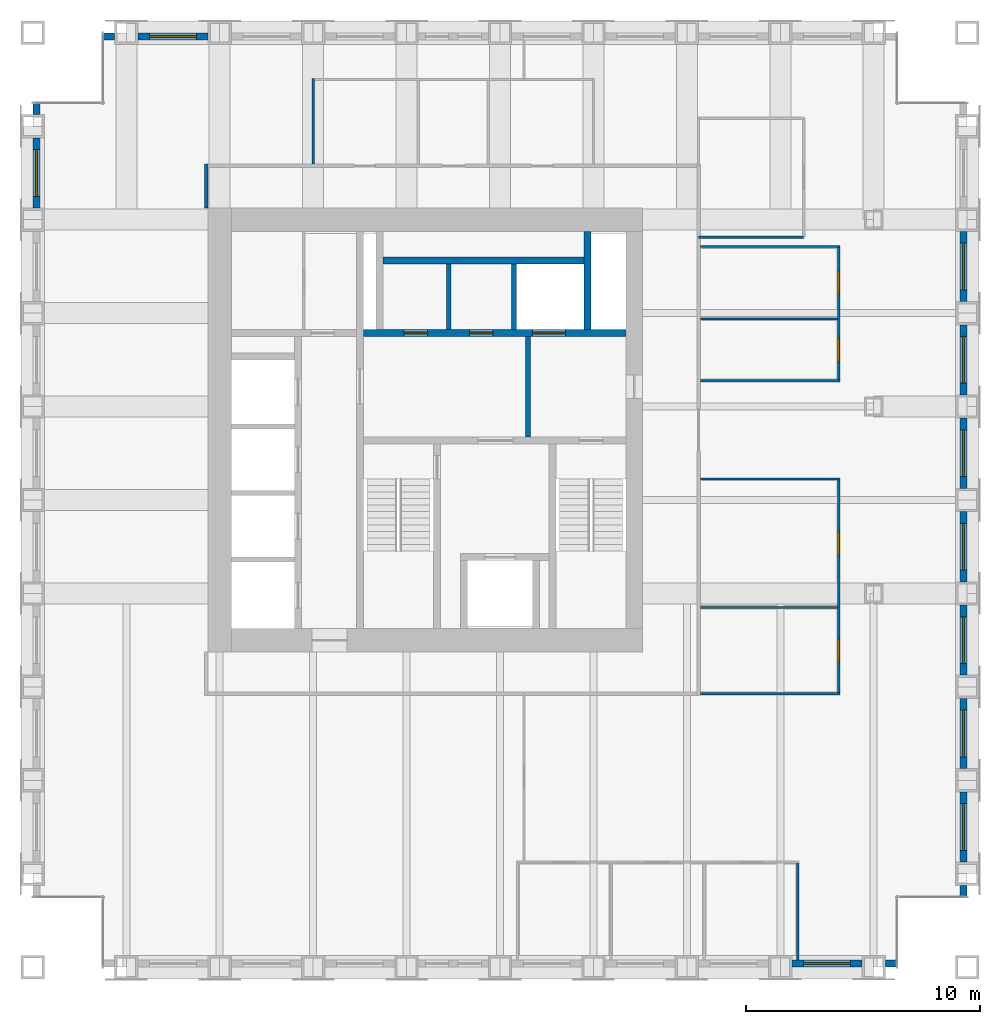
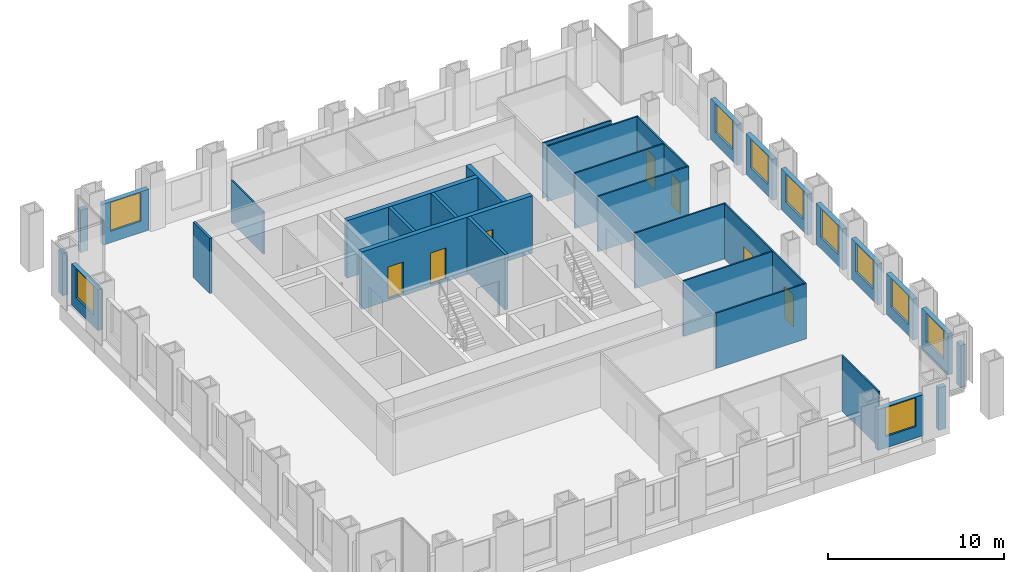
# One storey, part 9 of 11: 32 walls, 10 windows, 7 doors, 17 openings.
"""IFC4 building model written with IfcOpenShell, lengths in metres."""

from ifc_helpers import new_model, si_unit, direction, frame, frame_2d, origin, place, context, subcontext, project, spatial, rectangle, extrude, material, layer, layer_set, type_object, element, fill, save


model = new_model("IFC4")

# Units and contexts
model_context = context("Model", 3, precision=1e-05, world=origin(), true_north=direction((0.0, 1.0)))
body_context = subcontext(model_context, "Body", "Model", "MODEL_VIEW")
ifc_project = project(units=[si_unit("LENGTHUNIT", "METRE"), si_unit("AREAUNIT", "SQUARE_METRE"), si_unit("VOLUMEUNIT", "CUBIC_METRE"), si_unit("PLANEANGLEUNIT", "RADIAN"), si_unit("MASSUNIT", "GRAM", prefix="KILO")], contexts=[model_context])

# Site, building, storey
site_placement = place(None, origin())
site = spatial("IfcSite", under=ifc_project, at=site_placement, CompositionType="ELEMENT")
building_placement = place(site_placement, origin())
building = spatial("IfcBuilding", under=site, at=building_placement, Name="Rimbunsela Tower", CompositionType="ELEMENT")
storey_placement = place(building_placement, frame((0.0, 0.0, 246.199951171875)))
storey = spatial("IfcBuildingStorey", under=building, at=storey_placement, Name="L59", CompositionType="ELEMENT", Elevation=246.199951171875)

# Wall, openings, doors
ifc_material_1 = material(Name="Concrete fc' 80 MPa", Category="concrete")
ifc_layer_1 = layer(ifc_material_1, 0.300048828125)
ifc_layer_set_1 = layer_set([ifc_layer_1], Name="Core internal wall 300")
wall_type_1 = type_object("IfcWallType", Name="Core internal wall 300", PredefinedType="SHEAR", material=ifc_layer_set_1)
wall_1_placement = place(storey_placement, frame((24.14990234375, 31.14990234375, -0.14990234375), z_axis=(0.0, 0.0, 1.0), x_axis=(1.0, 0.0, 0.0)))
wall_1 = element("IfcWall", 1, at=wall_1_placement, inside=storey, type_object=wall_type_1, Name="Lift shaft front north", PredefinedType="SHEAR", context=body_context, shape_type="SweptSolid", body=[
    extrude(rectangle(XDim=11.25, YDim=0.300048828125, at=frame_2d((5.625, 0.0))), origin(), (0.0, 0.0, 1.0), 4.0),
])
opening_1_placement = place(wall_1_placement, frame((1.75, 0.0, 0.14990234375)))
opening_1 = element("IfcOpeningElement", 2, at=opening_1_placement, cuts=wall_1, Name="Opening D19", PredefinedType="OPENING", context=body_context, shape_type="SweptSolid", body=[
    extrude(rectangle(XDim=1.0, YDim=2.199951171875, at=frame_2d((0.5, 1.10009765625))), frame((0.0, 0.159912109375, 0.0), z_axis=(0.0, -1.0, 0.0), x_axis=(1.0, 0.0, 0.0)), (0.0, 0.0, 1.0), 0.320068359375),
])
opening_2_placement = place(wall_1_placement, frame((4.550048828125, 0.0, 0.14990234375)))
opening_2 = element("IfcOpeningElement", 3, at=opening_2_placement, cuts=wall_1, Name="Opening D19", PredefinedType="OPENING", context=body_context, shape_type="SweptSolid", body=[
    extrude(rectangle(XDim=1.0, YDim=2.199951171875, at=frame_2d((0.5, 1.10009765625))), frame((0.0, 0.159912109375, 0.0), z_axis=(0.0, -1.0, 0.0), x_axis=(1.0, 0.0, 0.0)), (0.0, 0.0, 1.0), 0.320068359375),
])
opening_3_placement = place(wall_1_placement, frame((7.25, 0.0, 0.14990234375)))
opening_3 = element("IfcOpeningElement", 4, at=opening_3_placement, cuts=wall_1, Name="Opening LD3", PredefinedType="OPENING", context=body_context, shape_type="SweptSolid", body=[
    extrude(rectangle(XDim=1.39990234375, YDim=2.39990234375, at=frame_2d((0.699951171875, 1.199951171875))), frame((0.0, 0.159912109375, 0.0), z_axis=(0.0, -1.0, 0.0), x_axis=(1.0, 0.0, 0.0)), (0.0, 0.0, 1.0), 0.320068359375),
])
ifc_material_2 = material(Name="Steel door, fire rated", Category="steel")
door_type_1 = type_object("IfcDoorType", Name="Lift landing door 1400", OperationType="DOUBLE_DOOR_SLIDING", PredefinedType="DOOR", material=ifc_material_2)
door_1_placement = place(opening_3_placement, origin())
door_1 = element("IfcDoor", 5, at=door_1_placement, inside=storey, type_object=door_type_1, Name="Lift landing door FL2", OperationType="DOUBLE_DOOR_SLIDING", OverallHeight=2.39990234375, OverallWidth=1.39990234375, PredefinedType="DOOR", context=body_context, shape_type="SweptSolid", body=[
    extrude(rectangle(XDim=1.39990234375, YDim=2.39990234375, at=frame_2d((0.699951171875, 1.199951171875))), frame((0.0, 0.02490234375, 0.0), z_axis=(0.0, -1.0, 0.0), x_axis=(1.0, 0.0, 0.0)), (0.0, 0.0, 1.0), 0.050048828125),
])
fill(opening_3, door_1)
ifc_material_3 = material(Name="Steel door, fire rated", Category="steel")
door_type_2 = type_object("IfcDoorType", Name="Service door 1000 fire rated", OperationType="SINGLE_SWING_LEFT", PredefinedType="DOOR", material=ifc_material_3)
door_2_placement = place(opening_1_placement, origin())
door_2 = element("IfcDoor", 6, at=door_2_placement, inside=storey, type_object=door_type_2, Name="Staff WC door", OperationType="SINGLE_SWING_LEFT", OverallHeight=2.199951171875, OverallWidth=1.0, PredefinedType="DOOR", context=body_context, shape_type="SweptSolid", body=[
    extrude(rectangle(XDim=1.0, YDim=2.199951171875, at=frame_2d((0.5, 1.10009765625))), frame((0.0, 0.02490234375, 0.0), z_axis=(0.0, -1.0, 0.0), x_axis=(1.0, 0.0, 0.0)), (0.0, 0.0, 1.0), 0.050048828125),
])
fill(opening_1, door_2)
door_3_placement = place(opening_2_placement, origin())
door_3 = element("IfcDoor", 7, at=door_3_placement, inside=storey, type_object=door_type_2, Name="Cleaners store door", OperationType="SINGLE_SWING_LEFT", OverallHeight=2.199951171875, OverallWidth=1.0, PredefinedType="DOOR", context=body_context, shape_type="SweptSolid", body=[
    extrude(rectangle(XDim=1.0, YDim=2.199951171875, at=frame_2d((0.5, 1.10009765625))), frame((0.0, 0.02490234375, 0.0), z_axis=(0.0, -1.0, 0.0), x_axis=(1.0, 0.0, 0.0)), (0.0, 0.0, 1.0), 0.050048828125),
])
fill(opening_2, door_3)

# Walls
wall_2_placement = place(storey_placement, frame((33.75, 31.300048828125, -0.14990234375), z_axis=(0.0, 0.0, 1.0), x_axis=(0.0, 1.0, 0.0)))
element("IfcWall", 8, at=wall_2_placement, inside=storey, type_object=wall_type_1, Name="Riser wall", PredefinedType="SHEAR", context=body_context, shape_type="SweptSolid", body=[
    extrude(rectangle(XDim=4.199951171875, YDim=0.300048828125, at=frame_2d((2.10009765625, 0.0))), origin(), (0.0, 0.0, 1.0), 4.0),
])
wall_3_placement = place(storey_placement, frame((25.0, 34.25, -0.14990234375), z_axis=(0.0, 0.0, 1.0), x_axis=(1.0, 0.0, 0.0)))
element("IfcWall", 9, at=wall_3_placement, inside=storey, type_object=wall_type_1, Name="Lift shaft rear north", PredefinedType="SHEAR", context=body_context, shape_type="SweptSolid", body=[
    extrude(rectangle(XDim=8.60009765625, YDim=0.300048828125, at=frame_2d((4.300048828125, 0.0))), origin(), (0.0, 0.0, 1.0), 4.0),
])
ifc_material_4 = material(Name="Concrete blockwork", Category="masonry")
ifc_layer_2 = layer(ifc_material_4, 0.199951171875)
ifc_layer_set_2 = layer_set([ifc_layer_2], Name="Lift shaft wall 200")
wall_type_2 = type_object("IfcWallType", Name="Lift shaft wall 200", PredefinedType="SOLIDWALL", material=ifc_layer_set_2)
for number, where, z_axis, x_axis, name in (
    (10, (27.800048828125, 31.300048828125, -0.14990234375), (0.0, 0.0, 1.0), (0.0, 1.0, 0.0), "Lift shaft separation"),
    (11, (30.60009765625, 31.300048828125, -0.14990234375), (0.0, 0.0, 1.0), (0.0, 1.0, 0.0), "Lift shaft separation"),
):
    element("IfcWall", number, at=place(storey_placement, frame(where, z_axis=z_axis, x_axis=x_axis)), inside=storey, type_object=wall_type_2, Name=name, PredefinedType="SOLIDWALL", context=body_context, shape_type="SweptSolid", body=[
        extrude(rectangle(XDim=2.800048828125, YDim=0.199951171875, at=frame_2d((1.39990234375, 0.0))), origin(), (0.0, 0.0, 1.0), 4.0),
    ])
wall_4_placement = place(storey_placement, frame((31.199951171875, 26.699951171875, 0.0), z_axis=(0.0, 0.0, 1.0), x_axis=(0.0, 1.0, 0.0)))
element("IfcWall", 12, at=wall_4_placement, inside=storey, type_object=wall_type_2, Name="Firefighting lobby 2 wall", PredefinedType="SOLIDWALL", context=body_context, shape_type="SweptSolid", body=[
    extrude(rectangle(XDim=4.300048828125, YDim=0.199951171875, at=frame_2d((2.14990234375, 0.0))), origin(), (0.0, 0.0, 1.0), 3.85009765625),
])
ifc_material_5 = material(Name="Gypsum board on steel studs", Category="steel")
ifc_layer_3 = layer(ifc_material_5, 0.10009765625)
ifc_layer_set_3 = layer_set([ifc_layer_3], Name="Office partition 100")
wall_type_3 = type_object("IfcWallType", Name="Office partition 100", PredefinedType="PARTITIONING", material=ifc_layer_set_3)
wall_5_placement = place(storey_placement, frame((38.574951171875, 15.699951171875, 0.0), z_axis=(0.0, 0.0, 1.0), x_axis=(1.0, 0.0, 0.0)))
element("IfcWall", 13, at=wall_5_placement, inside=storey, type_object=wall_type_3, Name="Office partition", PredefinedType="PARTITIONING", context=body_context, shape_type="SweptSolid", body=[
    extrude(rectangle(XDim=5.97509765625, YDim=0.10009765625, at=frame_2d((2.987548828125, 0.0))), origin(), (0.0, 0.0, 1.0), 3.85009765625),
])
wall_6_placement = place(storey_placement, frame((38.574951171875, 19.39990234375, 0.0), z_axis=(0.0, 0.0, 1.0), x_axis=(1.0, 0.0, 0.0)))
element("IfcWall", 14, at=wall_6_placement, inside=storey, type_object=wall_type_3, Name="Office partition", PredefinedType="PARTITIONING", context=body_context, shape_type="SweptSolid", body=[
    extrude(rectangle(XDim=5.875, YDim=0.10009765625, at=frame_2d((2.9375, 0.0))), origin(), (0.0, 0.0, 1.0), 3.85009765625),
])
for number, where, z_axis, x_axis, name in (
    (15, (38.574951171875, 24.89990234375, 0.0), (0.0, 0.0, 1.0), (1.0, 0.0, 0.0), "Office partition"),
    (16, (38.574951171875, 29.10009765625, 0.0), (0.0, 0.0, 1.0), (1.0, 0.0, 0.0), "Office partition"),
):
    element("IfcWall", number, at=place(storey_placement, frame(where, z_axis=z_axis, x_axis=x_axis)), inside=storey, type_object=wall_type_3, Name=name, PredefinedType="PARTITIONING", context=body_context, shape_type="SweptSolid", body=[
        extrude(rectangle(XDim=5.97509765625, YDim=0.10009765625, at=frame_2d((2.987548828125, 0.0))), origin(), (0.0, 0.0, 1.0), 3.85009765625),
    ])
wall_7_placement = place(storey_placement, frame((38.574951171875, 31.75, 0.0), z_axis=(0.0, 0.0, 1.0), x_axis=(1.0, 0.0, 0.0)))
element("IfcWall", 17, at=wall_7_placement, inside=storey, type_object=wall_type_3, Name="Office partition", PredefinedType="PARTITIONING", context=body_context, shape_type="SweptSolid", body=[
    extrude(rectangle(XDim=5.875, YDim=0.10009765625, at=frame_2d((2.9375, 0.0))), origin(), (0.0, 0.0, 1.0), 3.85009765625),
])
wall_8_placement = place(storey_placement, frame((38.574951171875, 34.85009765625, 0.0), z_axis=(0.0, 0.0, 1.0), x_axis=(1.0, 0.0, 0.0)))
element("IfcWall", 18, at=wall_8_placement, inside=storey, type_object=wall_type_3, Name="Office partition", PredefinedType="PARTITIONING", context=body_context, shape_type="SweptSolid", body=[
    extrude(rectangle(XDim=5.97509765625, YDim=0.10009765625, at=frame_2d((2.987548828125, 0.0))), origin(), (0.0, 0.0, 1.0), 3.85009765625),
])
wall_9_placement = place(storey_placement, frame((42.75, 4.300048828125, 0.0), z_axis=(0.0, 0.0, 1.0), x_axis=(0.0, 1.0, 0.0)))
element("IfcWall", 19, at=wall_9_placement, inside=storey, type_object=wall_type_3, Name="Office partition", PredefinedType="PARTITIONING", context=body_context, shape_type="SweptSolid", body=[
    extrude(rectangle(XDim=4.14990234375, YDim=0.10009765625, at=frame_2d((2.074951171875, 0.0))), origin(), (0.0, 0.0, 1.0), 3.85009765625),
])

# Wall, openings, doors
wall_10_placement = place(storey_placement, frame((44.5, 15.75, 0.0), z_axis=(0.0, 0.0, 1.0), x_axis=(0.0, 1.0, 0.0)))
wall_10 = element("IfcWall", 20, at=wall_10_placement, inside=storey, type_object=wall_type_3, Name="Office partition", PredefinedType="PARTITIONING", context=body_context, shape_type="SweptSolid", body=[
    extrude(rectangle(XDim=9.10009765625, YDim=0.10009765625, at=frame_2d((4.550048828125, 0.0))), origin(), (0.0, 0.0, 1.0), 3.85009765625),
])
opening_4_placement = place(wall_10_placement, frame((1.300048828125, 0.0, 0.0)))
opening_4 = element("IfcOpeningElement", 21, at=opening_4_placement, cuts=wall_10, Name="Opening D17", PredefinedType="OPENING", context=body_context, shape_type="SweptSolid", body=[
    extrude(rectangle(XDim=1.0, YDim=2.199951171875, at=frame_2d((0.5, 1.10009765625))), frame((0.0, 0.06005859375, 0.0), z_axis=(0.0, -1.0, 0.0), x_axis=(1.0, 0.0, 0.0)), (0.0, 0.0, 1.0), 0.1201171875),
])
opening_5_placement = place(wall_10_placement, frame((5.89990234375, 0.0, 0.0)))
opening_5 = element("IfcOpeningElement", 22, at=opening_5_placement, cuts=wall_10, Name="Opening D16", PredefinedType="OPENING", context=body_context, shape_type="SweptSolid", body=[
    extrude(rectangle(XDim=1.0, YDim=2.199951171875, at=frame_2d((0.5, 1.10009765625))), frame((0.0, 0.06005859375, 0.0), z_axis=(0.0, -1.0, 0.0), x_axis=(1.0, 0.0, 0.0)), (0.0, 0.0, 1.0), 0.1201171875),
])
ifc_material_6 = material(Name="Glazed aluminium door", Category="aluminium")
door_type_3 = type_object("IfcDoorType", Name="Meeting room door 1000 glazed", OperationType="SINGLE_SWING_RIGHT", PredefinedType="DOOR", material=ifc_material_6)
door_4_placement = place(opening_4_placement, origin())
door_4 = element("IfcDoor", 23, at=door_4_placement, inside=storey, type_object=door_type_3, Name="Meeting room door", OperationType="SINGLE_SWING_RIGHT", OverallHeight=2.199951171875, OverallWidth=1.0, PredefinedType="DOOR", context=body_context, shape_type="SweptSolid", body=[
    extrude(rectangle(XDim=1.0, YDim=2.199951171875, at=frame_2d((0.5, 1.10009765625))), frame((0.0, 0.02490234375, 0.0), z_axis=(0.0, -1.0, 0.0), x_axis=(1.0, 0.0, 0.0)), (0.0, 0.0, 1.0), 0.050048828125),
])
fill(opening_4, door_4)
ifc_material_7 = material(Name="Timber door", Category="wood")
door_type_4 = type_object("IfcDoorType", Name="Office door 1000", OperationType="SINGLE_SWING_LEFT", PredefinedType="DOOR", material=ifc_material_7)
door_5_placement = place(opening_5_placement, origin())
door_5 = element("IfcDoor", 24, at=door_5_placement, inside=storey, type_object=door_type_4, Name="Office door", OperationType="SINGLE_SWING_LEFT", OverallHeight=2.199951171875, OverallWidth=1.0, PredefinedType="DOOR", context=body_context, shape_type="SweptSolid", body=[
    extrude(rectangle(XDim=1.0, YDim=2.199951171875, at=frame_2d((0.5, 1.10009765625))), frame((0.0, 0.02490234375, 0.0), z_axis=(0.0, -1.0, 0.0), x_axis=(1.0, 0.0, 0.0)), (0.0, 0.0, 1.0), 0.050048828125),
])
fill(opening_5, door_5)

wall_11_placement = place(storey_placement, frame((44.5, 29.14990234375, 0.0), z_axis=(0.0, 0.0, 1.0), x_axis=(0.0, 1.0, 0.0)))
wall_11 = element("IfcWall", 25, at=wall_11_placement, inside=storey, type_object=wall_type_3, Name="Office partition", PredefinedType="PARTITIONING", context=body_context, shape_type="SweptSolid", body=[
    extrude(rectangle(XDim=5.650146484375, YDim=0.10009765625, at=frame_2d((2.8251953125, 0.0))), origin(), (0.0, 0.0, 1.0), 3.85009765625),
])
opening_6_placement = place(wall_11_placement, frame((0.77490234375, 0.0, 0.0)))
opening_6 = element("IfcOpeningElement", 26, at=opening_6_placement, cuts=wall_11, Name="Opening D16", PredefinedType="OPENING", context=body_context, shape_type="SweptSolid", body=[
    extrude(rectangle(XDim=1.0, YDim=2.199951171875, at=frame_2d((0.5, 1.10009765625))), frame((0.0, 0.06005859375, 0.0), z_axis=(0.0, -1.0, 0.0), x_axis=(1.0, 0.0, 0.0)), (0.0, 0.0, 1.0), 0.1201171875),
])
opening_7_placement = place(wall_11_placement, frame((3.64990234375, 0.0, 0.0)))
opening_7 = element("IfcOpeningElement", 27, at=opening_7_placement, cuts=wall_11, Name="Opening D16", PredefinedType="OPENING", context=body_context, shape_type="SweptSolid", body=[
    extrude(rectangle(XDim=1.0, YDim=2.199951171875, at=frame_2d((0.5, 1.10009765625))), frame((0.0, 0.06005859375, 0.0), z_axis=(0.0, -1.0, 0.0), x_axis=(1.0, 0.0, 0.0)), (0.0, 0.0, 1.0), 0.1201171875),
])
door_6_placement = place(opening_6_placement, origin())
door_6 = element("IfcDoor", 28, at=door_6_placement, inside=storey, type_object=door_type_4, Name="Office door", OperationType="SINGLE_SWING_LEFT", OverallHeight=2.199951171875, OverallWidth=1.0, PredefinedType="DOOR", context=body_context, shape_type="SweptSolid", body=[
    extrude(rectangle(XDim=1.0, YDim=2.199951171875, at=frame_2d((0.5, 1.10009765625))), frame((0.0, 0.02490234375, 0.0), z_axis=(0.0, -1.0, 0.0), x_axis=(1.0, 0.0, 0.0)), (0.0, 0.0, 1.0), 0.050048828125),
])
fill(opening_6, door_6)
door_7_placement = place(opening_7_placement, origin())
door_7 = element("IfcDoor", 29, at=door_7_placement, inside=storey, type_object=door_type_4, Name="Office door", OperationType="SINGLE_SWING_LEFT", OverallHeight=2.199951171875, OverallWidth=1.0, PredefinedType="DOOR", context=body_context, shape_type="SweptSolid", body=[
    extrude(rectangle(XDim=1.0, YDim=2.199951171875, at=frame_2d((0.5, 1.10009765625))), frame((0.0, 0.02490234375, 0.0), z_axis=(0.0, -1.0, 0.0), x_axis=(1.0, 0.0, 0.0)), (0.0, 0.0, 1.0), 0.050048828125),
])
fill(opening_7, door_7)

# Wall
wall_12_placement = place(storey_placement, frame((38.5, 35.25, 0.0), z_axis=(0.0, 0.0, 1.0), x_axis=(1.0, 0.0, 0.0)))
element("IfcWall", 30, at=wall_12_placement, inside=storey, type_object=wall_type_3, Name="Office partition", PredefinedType="PARTITIONING", context=body_context, shape_type="SweptSolid", body=[
    extrude(rectangle(XDim=4.5, YDim=0.10009765625, at=frame_2d((2.25, 0.0))), origin(), (0.0, 0.0, 1.0), 3.85009765625),
])

# Wall, opening, window
ifc_material_8 = material(Name="Precast concrete fc' 35 MPa", Category="concrete")
ifc_layer_4 = layer(ifc_material_8, 0.300048828125)
ifc_layer_set_4 = layer_set([ifc_layer_4], Name="Precast concrete fc' 35 MPa")
wall_type_4 = type_object("IfcWallType", Name="Precast facade panel 300", PredefinedType="ELEMENTEDWALL", material=ifc_layer_set_4)
wall_13_placement = place(storey_placement, frame((42.5, 4.14990234375, 0.0), z_axis=(0.0, 0.0, 1.0), x_axis=(1.0, 0.0, 0.0)))
wall_13 = element("IfcWall", 31, at=wall_13_placement, inside=storey, type_object=wall_type_4, Name="Facade panel S L59", PredefinedType="ELEMENTEDWALL", context=body_context, shape_type="SweptSolid", body=[
    extrude(rectangle(XDim=3.0, YDim=0.300048828125, at=frame_2d((1.5, 0.0))), origin(), (0.0, 0.0, 1.0), 2.85009765625),
])
opening_8_placement = place(wall_13_placement, frame((0.5, 0.0, 0.800048828125)))
opening_8 = element("IfcOpeningElement", 32, at=opening_8_placement, cuts=wall_13, Name="Opening W1", PredefinedType="OPENING", context=body_context, shape_type="SweptSolid", body=[
    extrude(rectangle(XDim=2.0, YDim=2.0, at=frame_2d((1.0, 1.0))), frame((0.0, 0.159912109375, 0.0), z_axis=(0.0, -1.0, 0.0), x_axis=(1.0, 0.0, 0.0)), (0.0, 0.0, 1.0), 0.320068359375),
])
ifc_material_9 = material(Name="Clear glass in aluminium frame", Category="aluminium")
window_type = type_object("IfcWindowType", Name="Window W1 2000x2000", PartitioningType="DOUBLE_PANEL_VERTICAL", PredefinedType="WINDOW", material=ifc_material_9)
window_1_placement = place(opening_8_placement, origin())
window_1 = element("IfcWindow", 33, at=window_1_placement, inside=storey, type_object=window_type, Name="Window L59", OverallHeight=2.0, OverallWidth=2.0, PartitioningType="SINGLE_PANEL", PredefinedType="WINDOW", context=body_context, shape_type="SweptSolid", body=[
    extrude(rectangle(XDim=2.0, YDim=2.0, at=frame_2d((1.0, 1.0))), frame((0.0, 0.030029296875, 0.0), z_axis=(0.0, -1.0, 0.0), x_axis=(1.0, 0.0, 0.0)), (0.0, 0.0, 1.0), 0.06005859375),
])
fill(opening_8, window_1)

# Walls
for number, where, z_axis, x_axis, name in (
    (34, (46.5, 4.14990234375, 0.0), (0.0, 0.0, 1.0), (1.0, 0.0, 0.0), "Facade panel S L59"),
    (35, (49.85009765625, 7.030029296875, 0.0), (0.0, 0.0, 1.0), (0.0, 1.0, 0.0), "Facade panel E L59"),
):
    element("IfcWall", number, at=place(storey_placement, frame(where, z_axis=z_axis, x_axis=x_axis)), inside=storey, type_object=wall_type_4, Name=name, PredefinedType="ELEMENTEDWALL", context=body_context, shape_type="SweptSolid", body=[
        extrude(rectangle(XDim=0.469970703125, YDim=0.300048828125, at=frame_2d((0.23486328125, 0.0))), origin(), (0.0, 0.0, 1.0), 2.949951171875),
    ])

# Wall, opening, window
wall_14_placement = place(storey_placement, frame((49.85009765625, 8.5, 0.0), z_axis=(0.0, 0.0, 1.0), x_axis=(0.0, 1.0, 0.0)))
wall_14 = element("IfcWall", 36, at=wall_14_placement, inside=storey, type_object=wall_type_4, Name="Facade panel E L59", PredefinedType="ELEMENTEDWALL", context=body_context, shape_type="SweptSolid", body=[
    extrude(rectangle(XDim=3.0, YDim=0.300048828125, at=frame_2d((1.5, 0.0))), origin(), (0.0, 0.0, 1.0), 2.85009765625),
])
opening_9_placement = place(wall_14_placement, frame((0.5, 0.0, 0.800048828125)))
opening_9 = element("IfcOpeningElement", 37, at=opening_9_placement, cuts=wall_14, Name="Opening W1", PredefinedType="OPENING", context=body_context, shape_type="SweptSolid", body=[
    extrude(rectangle(XDim=2.0, YDim=2.0, at=frame_2d((1.0, 1.0))), frame((0.0, 0.159912109375, 0.0), z_axis=(0.0, -1.0, 0.0), x_axis=(1.0, 0.0, 0.0)), (0.0, 0.0, 1.0), 0.320068359375),
])
window_2_placement = place(opening_9_placement, origin())
window_2 = element("IfcWindow", 38, at=window_2_placement, inside=storey, type_object=window_type, Name="Window L59", OverallHeight=2.0, OverallWidth=2.0, PartitioningType="SINGLE_PANEL", PredefinedType="WINDOW", context=body_context, shape_type="SweptSolid", body=[
    extrude(rectangle(XDim=2.0, YDim=2.0, at=frame_2d((1.0, 1.0))), frame((0.0, 0.030029296875, 0.0), z_axis=(0.0, -1.0, 0.0), x_axis=(1.0, 0.0, 0.0)), (0.0, 0.0, 1.0), 0.06005859375),
])
fill(opening_9, window_2)

wall_15_placement = place(storey_placement, frame((49.85009765625, 12.5, 0.0), z_axis=(0.0, 0.0, 1.0), x_axis=(0.0, 1.0, 0.0)))
wall_15 = element("IfcWall", 39, at=wall_15_placement, inside=storey, type_object=wall_type_4, Name="Facade panel E L59", PredefinedType="ELEMENTEDWALL", context=body_context, shape_type="SweptSolid", body=[
    extrude(rectangle(XDim=3.0, YDim=0.300048828125, at=frame_2d((1.5, 0.0))), origin(), (0.0, 0.0, 1.0), 2.85009765625),
])
opening_10_placement = place(wall_15_placement, frame((0.5, 0.0, 0.800048828125)))
opening_10 = element("IfcOpeningElement", 40, at=opening_10_placement, cuts=wall_15, Name="Opening W1", PredefinedType="OPENING", context=body_context, shape_type="SweptSolid", body=[
    extrude(rectangle(XDim=2.0, YDim=2.0, at=frame_2d((1.0, 1.0))), frame((0.0, 0.159912109375, 0.0), z_axis=(0.0, -1.0, 0.0), x_axis=(1.0, 0.0, 0.0)), (0.0, 0.0, 1.0), 0.320068359375),
])
window_3_placement = place(opening_10_placement, origin())
window_3 = element("IfcWindow", 41, at=window_3_placement, inside=storey, type_object=window_type, Name="Window L59", OverallHeight=2.0, OverallWidth=2.0, PartitioningType="SINGLE_PANEL", PredefinedType="WINDOW", context=body_context, shape_type="SweptSolid", body=[
    extrude(rectangle(XDim=2.0, YDim=2.0, at=frame_2d((1.0, 1.0))), frame((0.0, 0.030029296875, 0.0), z_axis=(0.0, -1.0, 0.0), x_axis=(1.0, 0.0, 0.0)), (0.0, 0.0, 1.0), 0.06005859375),
])
fill(opening_10, window_3)

wall_16_placement = place(storey_placement, frame((49.85009765625, 16.5, 0.0), z_axis=(0.0, 0.0, 1.0), x_axis=(0.0, 1.0, 0.0)))
wall_16 = element("IfcWall", 42, at=wall_16_placement, inside=storey, type_object=wall_type_4, Name="Facade panel E L59", PredefinedType="ELEMENTEDWALL", context=body_context, shape_type="SweptSolid", body=[
    extrude(rectangle(XDim=3.0, YDim=0.300048828125, at=frame_2d((1.5, 0.0))), origin(), (0.0, 0.0, 1.0), 2.85009765625),
])
opening_11_placement = place(wall_16_placement, frame((0.5, 0.0, 0.800048828125)))
opening_11 = element("IfcOpeningElement", 43, at=opening_11_placement, cuts=wall_16, Name="Opening W1", PredefinedType="OPENING", context=body_context, shape_type="SweptSolid", body=[
    extrude(rectangle(XDim=2.0, YDim=2.0, at=frame_2d((1.0, 1.0))), frame((0.0, 0.159912109375, 0.0), z_axis=(0.0, -1.0, 0.0), x_axis=(1.0, 0.0, 0.0)), (0.0, 0.0, 1.0), 0.320068359375),
])
window_4_placement = place(opening_11_placement, origin())
window_4 = element("IfcWindow", 44, at=window_4_placement, inside=storey, type_object=window_type, Name="Window L59", OverallHeight=2.0, OverallWidth=2.0, PartitioningType="SINGLE_PANEL", PredefinedType="WINDOW", context=body_context, shape_type="SweptSolid", body=[
    extrude(rectangle(XDim=2.0, YDim=2.0, at=frame_2d((1.0, 1.0))), frame((0.0, 0.030029296875, 0.0), z_axis=(0.0, -1.0, 0.0), x_axis=(1.0, 0.0, 0.0)), (0.0, 0.0, 1.0), 0.06005859375),
])
fill(opening_11, window_4)

wall_17_placement = place(storey_placement, frame((49.85009765625, 20.5, 0.0), z_axis=(0.0, 0.0, 1.0), x_axis=(0.0, 1.0, 0.0)))
wall_17 = element("IfcWall", 45, at=wall_17_placement, inside=storey, type_object=wall_type_4, Name="Facade panel E L59", PredefinedType="ELEMENTEDWALL", context=body_context, shape_type="SweptSolid", body=[
    extrude(rectangle(XDim=3.0, YDim=0.300048828125, at=frame_2d((1.5, 0.0))), origin(), (0.0, 0.0, 1.0), 2.85009765625),
])
opening_12_placement = place(wall_17_placement, frame((0.5, 0.0, 0.800048828125)))
opening_12 = element("IfcOpeningElement", 46, at=opening_12_placement, cuts=wall_17, Name="Opening W1", PredefinedType="OPENING", context=body_context, shape_type="SweptSolid", body=[
    extrude(rectangle(XDim=2.0, YDim=2.0, at=frame_2d((1.0, 1.0))), frame((0.0, 0.159912109375, 0.0), z_axis=(0.0, -1.0, 0.0), x_axis=(1.0, 0.0, 0.0)), (0.0, 0.0, 1.0), 0.320068359375),
])
window_5_placement = place(opening_12_placement, origin())
window_5 = element("IfcWindow", 47, at=window_5_placement, inside=storey, type_object=window_type, Name="Window L59", OverallHeight=2.0, OverallWidth=2.0, PartitioningType="SINGLE_PANEL", PredefinedType="WINDOW", context=body_context, shape_type="SweptSolid", body=[
    extrude(rectangle(XDim=2.0, YDim=2.0, at=frame_2d((1.0, 1.0))), frame((0.0, 0.030029296875, 0.0), z_axis=(0.0, -1.0, 0.0), x_axis=(1.0, 0.0, 0.0)), (0.0, 0.0, 1.0), 0.06005859375),
])
fill(opening_12, window_5)

wall_18_placement = place(storey_placement, frame((49.85009765625, 24.5, 0.0), z_axis=(0.0, 0.0, 1.0), x_axis=(0.0, 1.0, 0.0)))
wall_18 = element("IfcWall", 48, at=wall_18_placement, inside=storey, type_object=wall_type_4, Name="Facade panel E L59", PredefinedType="ELEMENTEDWALL", context=body_context, shape_type="SweptSolid", body=[
    extrude(rectangle(XDim=3.0, YDim=0.300048828125, at=frame_2d((1.5, 0.0))), origin(), (0.0, 0.0, 1.0), 2.85009765625),
])
opening_13_placement = place(wall_18_placement, frame((0.5, 0.0, 0.800048828125)))
opening_13 = element("IfcOpeningElement", 49, at=opening_13_placement, cuts=wall_18, Name="Opening W1", PredefinedType="OPENING", context=body_context, shape_type="SweptSolid", body=[
    extrude(rectangle(XDim=2.0, YDim=2.0, at=frame_2d((1.0, 1.0))), frame((0.0, 0.159912109375, 0.0), z_axis=(0.0, -1.0, 0.0), x_axis=(1.0, 0.0, 0.0)), (0.0, 0.0, 1.0), 0.320068359375),
])
window_6_placement = place(opening_13_placement, origin())
window_6 = element("IfcWindow", 50, at=window_6_placement, inside=storey, type_object=window_type, Name="Window L59", OverallHeight=2.0, OverallWidth=2.0, PartitioningType="SINGLE_PANEL", PredefinedType="WINDOW", context=body_context, shape_type="SweptSolid", body=[
    extrude(rectangle(XDim=2.0, YDim=2.0, at=frame_2d((1.0, 1.0))), frame((0.0, 0.030029296875, 0.0), z_axis=(0.0, -1.0, 0.0), x_axis=(1.0, 0.0, 0.0)), (0.0, 0.0, 1.0), 0.06005859375),
])
fill(opening_13, window_6)

wall_19_placement = place(storey_placement, frame((49.85009765625, 28.5, 0.0), z_axis=(0.0, 0.0, 1.0), x_axis=(0.0, 1.0, 0.0)))
wall_19 = element("IfcWall", 51, at=wall_19_placement, inside=storey, type_object=wall_type_4, Name="Facade panel E L59", PredefinedType="ELEMENTEDWALL", context=body_context, shape_type="SweptSolid", body=[
    extrude(rectangle(XDim=3.0, YDim=0.300048828125, at=frame_2d((1.5, 0.0))), origin(), (0.0, 0.0, 1.0), 2.85009765625),
])
opening_14_placement = place(wall_19_placement, frame((0.5, 0.0, 0.800048828125)))
opening_14 = element("IfcOpeningElement", 52, at=opening_14_placement, cuts=wall_19, Name="Opening W1", PredefinedType="OPENING", context=body_context, shape_type="SweptSolid", body=[
    extrude(rectangle(XDim=2.0, YDim=2.0, at=frame_2d((1.0, 1.0))), frame((0.0, 0.159912109375, 0.0), z_axis=(0.0, -1.0, 0.0), x_axis=(1.0, 0.0, 0.0)), (0.0, 0.0, 1.0), 0.320068359375),
])
window_7_placement = place(opening_14_placement, origin())
window_7 = element("IfcWindow", 53, at=window_7_placement, inside=storey, type_object=window_type, Name="Window L59", OverallHeight=2.0, OverallWidth=2.0, PartitioningType="SINGLE_PANEL", PredefinedType="WINDOW", context=body_context, shape_type="SweptSolid", body=[
    extrude(rectangle(XDim=2.0, YDim=2.0, at=frame_2d((1.0, 1.0))), frame((0.0, 0.030029296875, 0.0), z_axis=(0.0, -1.0, 0.0), x_axis=(1.0, 0.0, 0.0)), (0.0, 0.0, 1.0), 0.06005859375),
])
fill(opening_14, window_7)

wall_20_placement = place(storey_placement, frame((49.85009765625, 32.5, 0.0), z_axis=(0.0, 0.0, 1.0), x_axis=(0.0, 1.0, 0.0)))
wall_20 = element("IfcWall", 54, at=wall_20_placement, inside=storey, type_object=wall_type_4, Name="Facade panel E L59", PredefinedType="ELEMENTEDWALL", context=body_context, shape_type="SweptSolid", body=[
    extrude(rectangle(XDim=3.0, YDim=0.300048828125, at=frame_2d((1.5, 0.0))), origin(), (0.0, 0.0, 1.0), 2.85009765625),
])
opening_15_placement = place(wall_20_placement, frame((0.5, 0.0, 0.800048828125)))
opening_15 = element("IfcOpeningElement", 55, at=opening_15_placement, cuts=wall_20, Name="Opening W1", PredefinedType="OPENING", context=body_context, shape_type="SweptSolid", body=[
    extrude(rectangle(XDim=2.0, YDim=2.0, at=frame_2d((1.0, 1.0))), frame((0.0, 0.159912109375, 0.0), z_axis=(0.0, -1.0, 0.0), x_axis=(1.0, 0.0, 0.0)), (0.0, 0.0, 1.0), 0.320068359375),
])
window_8_placement = place(opening_15_placement, origin())
window_8 = element("IfcWindow", 56, at=window_8_placement, inside=storey, type_object=window_type, Name="Window L59", OverallHeight=2.0, OverallWidth=2.0, PartitioningType="SINGLE_PANEL", PredefinedType="WINDOW", context=body_context, shape_type="SweptSolid", body=[
    extrude(rectangle(XDim=2.0, YDim=2.0, at=frame_2d((1.0, 1.0))), frame((0.0, 0.030029296875, 0.0), z_axis=(0.0, -1.0, 0.0), x_axis=(1.0, 0.0, 0.0)), (0.0, 0.0, 1.0), 0.06005859375),
])
fill(opening_15, window_8)

# Wall
wall_21_placement = place(storey_placement, frame((13.5, 43.85009765625, 0.0), z_axis=(0.0, 0.0, 1.0), x_axis=(-1.0, 0.0, 0.0)))
element("IfcWall", 57, at=wall_21_placement, inside=storey, type_object=wall_type_4, Name="Facade panel N L59", PredefinedType="ELEMENTEDWALL", context=body_context, shape_type="SweptSolid", body=[
    extrude(rectangle(XDim=0.469970703125, YDim=0.300048828125, at=frame_2d((0.23486328125, 0.0))), origin(), (0.0, 0.0, 1.0), 2.949951171875),
])

# Wall, opening, window
wall_22_placement = place(storey_placement, frame((17.5, 43.85009765625, 0.0), z_axis=(0.0, 0.0, 1.0), x_axis=(-1.0, 0.0, 0.0)))
wall_22 = element("IfcWall", 58, at=wall_22_placement, inside=storey, type_object=wall_type_4, Name="Facade panel N L59", PredefinedType="ELEMENTEDWALL", context=body_context, shape_type="SweptSolid", body=[
    extrude(rectangle(XDim=3.0, YDim=0.300048828125, at=frame_2d((1.5, 0.0))), origin(), (0.0, 0.0, 1.0), 2.85009765625),
])
opening_16_placement = place(wall_22_placement, frame((0.5, 0.0, 0.800048828125)))
opening_16 = element("IfcOpeningElement", 59, at=opening_16_placement, cuts=wall_22, Name="Opening W1", PredefinedType="OPENING", context=body_context, shape_type="SweptSolid", body=[
    extrude(rectangle(XDim=2.0, YDim=2.0, at=frame_2d((1.0, 1.0))), frame((0.0, 0.159912109375, 0.0), z_axis=(0.0, -1.0, 0.0), x_axis=(1.0, 0.0, 0.0)), (0.0, 0.0, 1.0), 0.320068359375),
])
window_9_placement = place(opening_16_placement, origin())
window_9 = element("IfcWindow", 60, at=window_9_placement, inside=storey, type_object=window_type, Name="Window L59", OverallHeight=2.0, OverallWidth=2.0, PartitioningType="SINGLE_PANEL", PredefinedType="WINDOW", context=body_context, shape_type="SweptSolid", body=[
    extrude(rectangle(XDim=2.0, YDim=2.0, at=frame_2d((1.0, 1.0))), frame((0.0, 0.030029296875, 0.0), z_axis=(0.0, -1.0, 0.0), x_axis=(1.0, 0.0, 0.0)), (0.0, 0.0, 1.0), 0.06005859375),
])
fill(opening_16, window_9)

wall_23_placement = place(storey_placement, frame((10.14990234375, 39.5, 0.0), z_axis=(0.0, 0.0, 1.0), x_axis=(0.0, -1.0, 0.0)))
wall_23 = element("IfcWall", 61, at=wall_23_placement, inside=storey, type_object=wall_type_4, Name="Facade panel W L59", PredefinedType="ELEMENTEDWALL", context=body_context, shape_type="SweptSolid", body=[
    extrude(rectangle(XDim=3.0, YDim=0.300048828125, at=frame_2d((1.5, 0.0))), origin(), (0.0, 0.0, 1.0), 2.85009765625),
])
opening_17_placement = place(wall_23_placement, frame((0.5, 0.0, 0.800048828125)))
opening_17 = element("IfcOpeningElement", 62, at=opening_17_placement, cuts=wall_23, Name="Opening W1", PredefinedType="OPENING", context=body_context, shape_type="SweptSolid", body=[
    extrude(rectangle(XDim=2.0, YDim=2.0, at=frame_2d((1.0, 1.0))), frame((0.0, 0.159912109375, 0.0), z_axis=(0.0, -1.0, 0.0), x_axis=(1.0, 0.0, 0.0)), (0.0, 0.0, 1.0), 0.320068359375),
])
window_10_placement = place(opening_17_placement, origin())
window_10 = element("IfcWindow", 63, at=window_10_placement, inside=storey, type_object=window_type, Name="Window L59", OverallHeight=2.0, OverallWidth=2.0, PartitioningType="SINGLE_PANEL", PredefinedType="WINDOW", context=body_context, shape_type="SweptSolid", body=[
    extrude(rectangle(XDim=2.0, YDim=2.0, at=frame_2d((1.0, 1.0))), frame((0.0, 0.030029296875, 0.0), z_axis=(0.0, -1.0, 0.0), x_axis=(1.0, 0.0, 0.0)), (0.0, 0.0, 1.0), 0.06005859375),
])
fill(opening_17, window_10)

# Walls
wall_24_placement = place(storey_placement, frame((10.14990234375, 40.969970703125, 0.0), z_axis=(0.0, 0.0, 1.0), x_axis=(0.0, -1.0, 0.0)))
element("IfcWall", 64, at=wall_24_placement, inside=storey, type_object=wall_type_4, Name="Facade panel W L59", PredefinedType="ELEMENTEDWALL", context=body_context, shape_type="SweptSolid", body=[
    extrude(rectangle(XDim=0.469970703125, YDim=0.300048828125, at=frame_2d((0.23486328125, 0.0))), origin(), (0.0, 0.0, 1.0), 2.949951171875),
])
ifc_material_10 = material(Name="Fire-rated gypsum board on steel studs, EI 60", Category="steel")
ifc_layer_5 = layer(ifc_material_10, 0.14990234375)
ifc_layer_set_5 = layer_set([ifc_layer_5], Name="Rated corridor wall 150")
wall_type_5 = type_object("IfcWallType", Name="Rated corridor wall 150", PredefinedType="PARTITIONING", material=ifc_layer_set_5)
wall_25_placement = place(storey_placement, frame((17.425048828125, 36.5, 0.0), z_axis=(0.0, 0.0, 1.0), x_axis=(0.0, 1.0, 0.0)))
element("IfcWall", 65, at=wall_25_placement, inside=storey, type_object=wall_type_5, Name="Corridor end wall north", PredefinedType="PARTITIONING", context=body_context, shape_type="SweptSolid", body=[
    extrude(rectangle(XDim=1.875, YDim=0.14990234375, at=frame_2d((0.9375, 0.0))), origin(), (0.0, 0.0, 1.0), 3.85009765625),
])
ifc_material_11 = material(Name="Concrete blockwork", Category="masonry")
ifc_layer_6 = layer(ifc_material_11, 0.10009765625)
ifc_layer_set_6 = layer_set([ifc_layer_6], Name="Toilet partition 100")
wall_type_6 = type_object("IfcWallType", Name="Toilet partition 100", PredefinedType="PARTITIONING", material=ifc_layer_set_6)
wall_26_placement = place(storey_placement, frame((22.0, 38.375, 0.0), z_axis=(0.0, 0.0, 1.0), x_axis=(0.0, 1.0, 0.0)))
element("IfcWall", 66, at=wall_26_placement, inside=storey, type_object=wall_type_6, Name="Toilet block wall west", PredefinedType="PARTITIONING", context=body_context, shape_type="SweptSolid", body=[
    extrude(rectangle(XDim=3.675048828125, YDim=0.10009765625, at=frame_2d((1.83740234375, 0.0))), origin(), (0.0, 0.0, 1.0), 2.949951171875),
])

save(model, "model.ifc")
